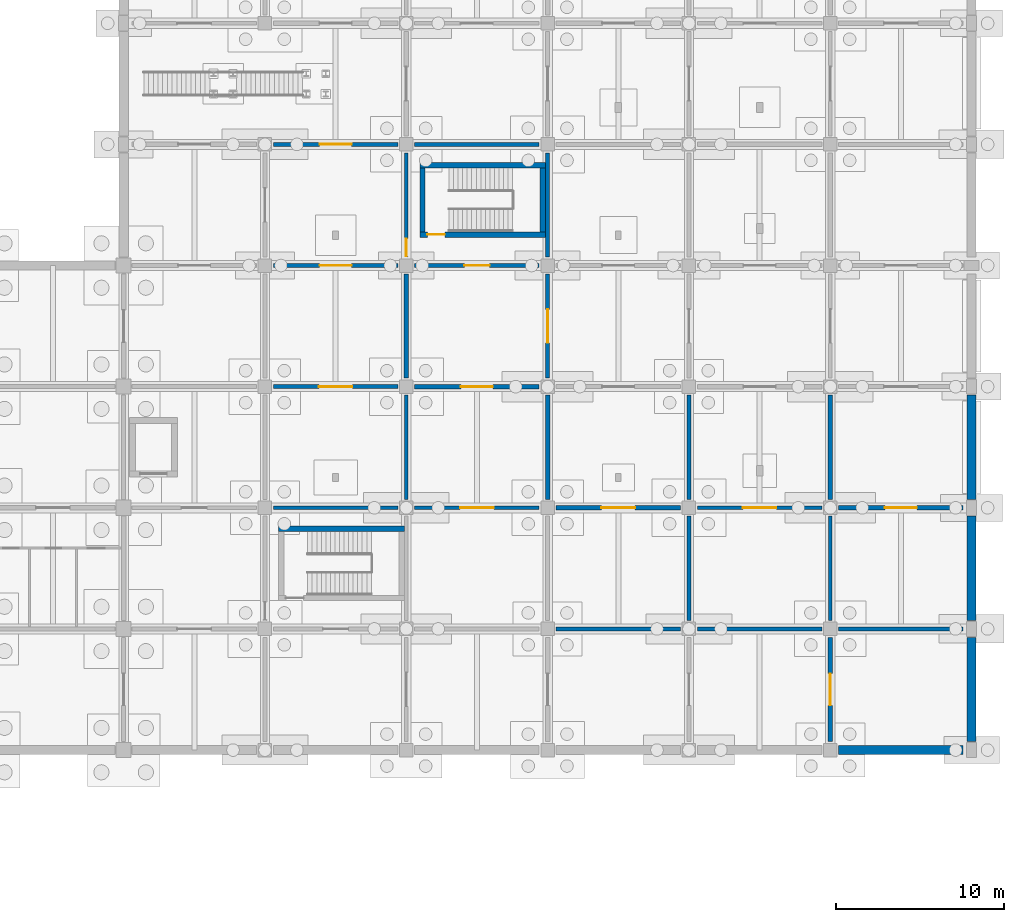
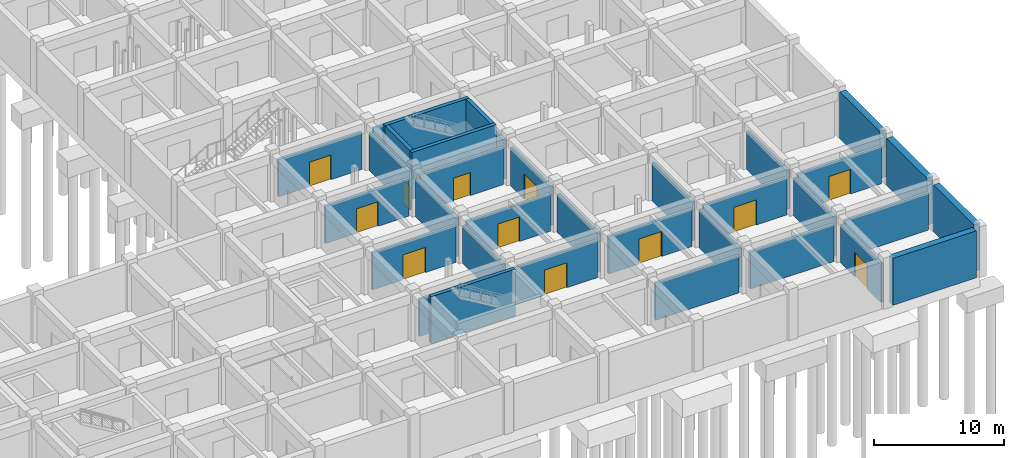
# One storey, part 33 of 38: 34 walls, 13 doors, 13 openings.
"""IFC4 building model written with IfcOpenShell, lengths in metres."""

from ifc_helpers import new_model, si_unit, derived_unit, direction, frame, frame_2d, origin, place, context, subcontext, project, spatial, rectangle, extrude, material, layer, layer_set, type_object, element, fill, save


model = new_model("IFC4")

# Units and contexts
model_context = context("Model", 3, precision=1e-05, world=origin(), true_north=direction((0.0, 1.0)))
body_context = subcontext(model_context, "Body", "Model", "MODEL_VIEW")
ifc_project = project(units=[si_unit("LENGTHUNIT", "METRE"), si_unit("AREAUNIT", "SQUARE_METRE"), si_unit("VOLUMEUNIT", "CUBIC_METRE"), si_unit("PLANEANGLEUNIT", "RADIAN"), si_unit("MASSUNIT", "GRAM", prefix="KILO"), derived_unit("THERMALTRANSMITTANCEUNIT", [(si_unit("MASSUNIT", "GRAM", prefix="KILO"), 1), (si_unit("TIMEUNIT", "SECOND"), -3), (si_unit("THERMODYNAMICTEMPERATUREUNIT", "KELVIN"), -1)])], contexts=[model_context])

# Site, building, storey
site_placement = place(None, origin())
site = spatial("IfcSite", under=ifc_project, at=site_placement, CompositionType="ELEMENT")
building_placement = place(site_placement, origin())
building = spatial("IfcBuilding", under=site, at=building_placement, Name="Veldstrom Oceanarium and Marine Research Institute", CompositionType="ELEMENT")
storey_placement = place(building_placement, frame((0.0, 0.0, -9.60009765625)))
storey = spatial("IfcBuildingStorey", under=building, at=storey_placement, Name="B02", CompositionType="ELEMENT", Elevation=-9.60009765625)

# Walls
ifc_material_1 = material(Name="Masonry Fire Compartment Wall", Category="masonry")
ifc_layer_1 = layer(ifc_material_1, 0.22998046875)
ifc_layer_set_1 = layer_set([ifc_layer_1], Name="ARC-WAL-PT1")
wall_type_1 = type_object("IfcWallType", Name="ARC-WAL-PT1", PredefinedType="PARTITIONING", material=ifc_layer_set_1)
wall_1_placement = place(storey_placement, frame((126.5, 57.60009765625, 0.0), z_axis=(0.0, 0.0, 1.0), x_axis=(1.0, 0.0, 0.0)))
element("IfcWall", 1, at=wall_1_placement, inside=storey, type_object=wall_type_1, Name="Interior Partition PT1 B02-0210", PredefinedType="PARTITIONING", context=body_context, shape_type="SweptSolid", body=[
    extrude(rectangle(XDim=7.39990234375, YDim=0.22998046875, at=frame_2d((3.699951171875, 0.0))), origin(), (0.0, 0.0, 1.0), 3.4951171875),
])
wall_2_placement = place(storey_placement, frame((134.39990234375, 58.10009765625, 0.0), z_axis=(0.0, 0.0, 1.0), x_axis=(0.0, 1.0, 0.0)))
element("IfcWall", 2, at=wall_2_placement, inside=storey, type_object=wall_type_1, Name="Interior Partition PT1 B02-0211", PredefinedType="PARTITIONING", context=body_context, shape_type="SweptSolid", body=[
    extrude(rectangle(XDim=6.199951171875, YDim=0.22998046875, at=frame_2d((3.10009765625, 0.0))), origin(), (0.0, 0.0, 1.0), 3.59521484375),
])

# Wall, opening, door
wall_3_placement = place(storey_placement, frame((126.5, 64.800048828125, 0.0), z_axis=(0.0, 0.0, 1.0), x_axis=(1.0, 0.0, 0.0)))
wall_3 = element("IfcWall", 3, at=wall_3_placement, inside=storey, type_object=wall_type_1, Name="Interior Partition PT1 B02-0212", PredefinedType="PARTITIONING", context=body_context, shape_type="SweptSolid", body=[
    extrude(rectangle(XDim=7.39990234375, YDim=0.22998046875, at=frame_2d((3.699951171875, 0.0))), origin(), (0.0, 0.0, 1.0), 3.4951171875),
])
opening_1_placement = place(wall_3_placement, frame((2.699951171875, 0.0, 0.0)))
opening_1 = element("IfcOpeningElement", 4, at=opening_1_placement, cuts=wall_3, Name="Opening D-B02-123", PredefinedType="OPENING", context=body_context, shape_type="SweptSolid", body=[
    extrude(rectangle(XDim=2.0, YDim=2.35009765625, at=frame_2d((1.0, 1.175048828125))), frame((0.0, 0.125, 0.0), z_axis=(0.0, -1.0, 0.0), x_axis=(1.0, 0.0, 0.0)), (0.0, 0.0, 1.0), 0.25),
])
ifc_material_2 = material(Name="Filtration Hall Double Door", Category="steel")
door_type_1 = type_object("IfcDoorType", Name="ARC-DOR-ID18", OperationType="DOUBLE_DOOR_SINGLE_SWING", PredefinedType="DOOR", material=ifc_material_2)
door_1_placement = place(opening_1_placement, frame((2.0, 0.0, 0.0), z_axis=(0.0, 0.0, 1.0), x_axis=(-1.0, 0.0, 0.0)))
door_1 = element("IfcDoor", 5, at=door_1_placement, inside=storey, type_object=door_type_1, Name="Interior Door D-B02-123", OperationType="DOUBLE_DOOR_SINGLE_SWING", OverallHeight=2.35009765625, OverallWidth=2.0, PredefinedType="DOOR", context=body_context, shape_type="SweptSolid", body=[
    extrude(rectangle(XDim=2.0, YDim=2.35009765625, at=frame_2d((1.0, 1.175048828125))), frame((0.0, 0.02490234375, 0.0), z_axis=(0.0, -1.0, 0.0), x_axis=(1.0, 0.0, 0.0)), (0.0, 0.0, 1.0), 0.050048828125),
])
fill(opening_1, door_1)

wall_4_placement = place(storey_placement, frame((134.39990234375, 72.5, 0.0), z_axis=(0.0, 0.0, 1.0), x_axis=(0.0, 1.0, 0.0)))
wall_4 = element("IfcWall", 6, at=wall_4_placement, inside=storey, type_object=wall_type_1, Name="Interior Partition PT1 B02-0215", PredefinedType="PARTITIONING", context=body_context, shape_type="SweptSolid", body=[
    extrude(rectangle(XDim=6.199951171875, YDim=0.22998046875, at=frame_2d((3.10009765625, 0.0))), origin(), (0.0, 0.0, 1.0), 3.59521484375),
])
opening_2_placement = place(wall_4_placement, frame((0.050048828125, 0.0, 0.0)))
opening_2 = element("IfcOpeningElement", 7, at=opening_2_placement, cuts=wall_4, Name="Opening D-B02-125", PredefinedType="OPENING", context=body_context, shape_type="SweptSolid", body=[
    extrude(rectangle(XDim=1.050048828125, YDim=2.14990234375, at=frame_2d((0.52490234375, 1.074951171875))), frame((0.0, 0.125, 0.0), z_axis=(0.0, -1.0, 0.0), x_axis=(1.0, 0.0, 0.0)), (0.0, 0.0, 1.0), 0.25),
])
ifc_material_3 = material(Name="Painted Steel Fire Door", Category="steel")
door_type_2 = type_object("IfcDoorType", Name="ARC-DOR-SD1", OperationType="SINGLE_SWING_LEFT", PredefinedType="DOOR", material=ifc_material_3)
door_2_placement = place(opening_2_placement, origin())
door_2 = element("IfcDoor", 8, at=door_2_placement, inside=storey, type_object=door_type_2, Name="Interior Door D-B02-125", OperationType="SINGLE_SWING_LEFT", OverallHeight=2.14990234375, OverallWidth=1.050048828125, PredefinedType="DOOR", context=body_context, shape_type="SweptSolid", body=[
    extrude(rectangle(XDim=1.050048828125, YDim=2.14990234375, at=frame_2d((0.52490234375, 1.074951171875))), frame((0.0, 0.02490234375, 0.0), z_axis=(0.0, -1.0, 0.0), x_axis=(1.0, 0.0, 0.0)), (0.0, 0.0, 1.0), 0.050048828125),
])
fill(opening_2, door_2)

wall_5_placement = place(storey_placement, frame((126.5, 79.199951171875, 0.0), z_axis=(0.0, 0.0, 1.0), x_axis=(1.0, 0.0, 0.0)))
wall_5 = element("IfcWall", 9, at=wall_5_placement, inside=storey, type_object=wall_type_1, Name="Interior Partition PT1 B02-0216", PredefinedType="PARTITIONING", context=body_context, shape_type="SweptSolid", body=[
    extrude(rectangle(XDim=7.39990234375, YDim=0.22998046875, at=frame_2d((3.699951171875, 0.0))), origin(), (0.0, 0.0, 1.0), 3.4951171875),
])
opening_3_placement = place(wall_5_placement, frame((2.75, 0.0, 0.0)))
opening_3 = element("IfcOpeningElement", 10, at=opening_3_placement, cuts=wall_5, Name="Opening D-B02-126", PredefinedType="OPENING", context=body_context, shape_type="SweptSolid", body=[
    extrude(rectangle(XDim=1.89990234375, YDim=2.300048828125, at=frame_2d((0.949951171875, 1.14990234375))), frame((0.0, 0.125, 0.0), z_axis=(0.0, -1.0, 0.0), x_axis=(1.0, 0.0, 0.0)), (0.0, 0.0, 1.0), 0.25),
])
ifc_material_4 = material(Name="Plant Hall Equipment Door", Category="steel")
door_type_3 = type_object("IfcDoorType", Name="ARC-DOR-ID12", OperationType="DOUBLE_DOOR_SINGLE_SWING", PredefinedType="DOOR", material=ifc_material_4)
door_3_placement = place(opening_3_placement, frame((1.89990234375, 0.0, 0.0), z_axis=(0.0, 0.0, 1.0), x_axis=(-1.0, 0.0, 0.0)))
door_3 = element("IfcDoor", 11, at=door_3_placement, inside=storey, type_object=door_type_3, Name="Interior Door D-B02-126", OperationType="DOUBLE_DOOR_SINGLE_SWING", OverallHeight=2.300048828125, OverallWidth=1.89990234375, PredefinedType="DOOR", context=body_context, shape_type="SweptSolid", body=[
    extrude(rectangle(XDim=1.89990234375, YDim=2.300048828125, at=frame_2d((0.949951171875, 1.14990234375))), frame((0.0, 0.02490234375, 0.0), z_axis=(0.0, -1.0, 0.0), x_axis=(1.0, 0.0, 0.0)), (0.0, 0.0, 1.0), 0.050048828125),
])
fill(opening_3, door_3)

wall_6_placement = place(storey_placement, frame((134.89990234375, 57.60009765625, 0.0), z_axis=(0.0, 0.0, 1.0), x_axis=(1.0, 0.0, 0.0)))
wall_6 = element("IfcWall", 12, at=wall_6_placement, inside=storey, type_object=wall_type_1, Name="Interior Partition PT1 B02-0229", PredefinedType="PARTITIONING", context=body_context, shape_type="SweptSolid", body=[
    extrude(rectangle(XDim=7.400146484375, YDim=0.22998046875, at=frame_2d((3.7001953125, 0.0))), origin(), (0.0, 0.0, 1.0), 3.4951171875),
])
opening_4_placement = place(wall_6_placement, frame((2.699951171875, 0.0, 0.0)))
opening_4 = element("IfcOpeningElement", 13, at=opening_4_placement, cuts=wall_6, Name="Opening D-B02-133", PredefinedType="OPENING", context=body_context, shape_type="SweptSolid", body=[
    extrude(rectangle(XDim=2.0, YDim=2.35009765625, at=frame_2d((1.0, 1.175048828125))), frame((0.0, 0.125, 0.0), z_axis=(0.0, -1.0, 0.0), x_axis=(1.0, 0.0, 0.0)), (0.0, 0.0, 1.0), 0.25),
])
door_4_placement = place(opening_4_placement, frame((2.0, 0.0, 0.0), z_axis=(0.0, 0.0, 1.0), x_axis=(-1.0, 0.0, 0.0)))
door_4 = element("IfcDoor", 14, at=door_4_placement, inside=storey, type_object=door_type_1, Name="Interior Door D-B02-133", OperationType="DOUBLE_DOOR_SINGLE_SWING", OverallHeight=2.35009765625, OverallWidth=2.0, PredefinedType="DOOR", context=body_context, shape_type="SweptSolid", body=[
    extrude(rectangle(XDim=2.0, YDim=2.35009765625, at=frame_2d((1.0, 1.175048828125))), frame((0.0, 0.02490234375, 0.0), z_axis=(0.0, -1.0, 0.0), x_axis=(1.0, 0.0, 0.0)), (0.0, 0.0, 1.0), 0.050048828125),
])
fill(opening_4, door_4)

wall_7_placement = place(storey_placement, frame((142.800048828125, 65.300048828125, 0.0), z_axis=(0.0, 0.0, 1.0), x_axis=(0.0, 1.0, 0.0)))
wall_7 = element("IfcWall", 15, at=wall_7_placement, inside=storey, type_object=wall_type_1, Name="Interior Partition PT1 B02-0232", PredefinedType="PARTITIONING", context=body_context, shape_type="SweptSolid", body=[
    extrude(rectangle(XDim=6.199951171875, YDim=0.22998046875, at=frame_2d((3.10009765625, 0.0))), origin(), (0.0, 0.0, 1.0), 3.59521484375),
])
opening_5_placement = place(wall_7_placement, frame((2.10009765625, 0.0, 0.0)))
opening_5 = element("IfcOpeningElement", 16, at=opening_5_placement, cuts=wall_7, Name="Opening D-B02-135", PredefinedType="OPENING", context=body_context, shape_type="SweptSolid", body=[
    extrude(rectangle(XDim=2.0, YDim=2.35009765625, at=frame_2d((1.0, 1.175048828125))), frame((0.0, 0.125, 0.0), z_axis=(0.0, -1.0, 0.0), x_axis=(1.0, 0.0, 0.0)), (0.0, 0.0, 1.0), 0.25),
])
door_5_placement = place(opening_5_placement, origin())
door_5 = element("IfcDoor", 17, at=door_5_placement, inside=storey, type_object=door_type_1, Name="Interior Door D-B02-135", OperationType="DOUBLE_DOOR_SINGLE_SWING", OverallHeight=2.35009765625, OverallWidth=2.0, PredefinedType="DOOR", context=body_context, shape_type="SweptSolid", body=[
    extrude(rectangle(XDim=2.0, YDim=2.35009765625, at=frame_2d((1.0, 1.175048828125))), frame((0.0, 0.02490234375, 0.0), z_axis=(0.0, -1.0, 0.0), x_axis=(1.0, 0.0, 0.0)), (0.0, 0.0, 1.0), 0.050048828125),
])
fill(opening_5, door_5)

wall_8_placement = place(storey_placement, frame((134.89990234375, 72.0, 0.0), z_axis=(0.0, 0.0, 1.0), x_axis=(1.0, 0.0, 0.0)))
wall_8 = element("IfcWall", 18, at=wall_8_placement, inside=storey, type_object=wall_type_1, Name="Interior Partition PT1 B02-0233", PredefinedType="PARTITIONING", context=body_context, shape_type="SweptSolid", body=[
    extrude(rectangle(XDim=7.400146484375, YDim=0.22998046875, at=frame_2d((3.7001953125, 0.0))), origin(), (0.0, 0.0, 1.0), 3.4951171875),
])
opening_6_placement = place(wall_8_placement, frame((2.949951171875, 0.0, 0.0)))
opening_6 = element("IfcOpeningElement", 19, at=opening_6_placement, cuts=wall_8, Name="Opening D-B02-136", PredefinedType="OPENING", context=body_context, shape_type="SweptSolid", body=[
    extrude(rectangle(XDim=1.5, YDim=2.14990234375, at=frame_2d((0.75, 1.074951171875))), frame((0.0, 0.125, 0.0), z_axis=(0.0, -1.0, 0.0), x_axis=(1.0, 0.0, 0.0)), (0.0, 0.0, 1.0), 0.25),
])
ifc_material_5 = material(Name="Painted Steel Lobby Fire Door", Category="steel")
door_type_4 = type_object("IfcDoorType", Name="ARC-DOR-SD2", OperationType="DOUBLE_DOOR_SINGLE_SWING", PredefinedType="DOOR", material=ifc_material_5)
door_6_placement = place(opening_6_placement, frame((1.5, 0.0, 0.0), z_axis=(0.0, 0.0, 1.0), x_axis=(-1.0, 0.0, 0.0)))
door_6 = element("IfcDoor", 20, at=door_6_placement, inside=storey, type_object=door_type_4, Name="Interior Door D-B02-136", OperationType="DOUBLE_DOOR_SINGLE_SWING", OverallHeight=2.14990234375, OverallWidth=1.5, PredefinedType="DOOR", context=body_context, shape_type="SweptSolid", body=[
    extrude(rectangle(XDim=1.5, YDim=2.14990234375, at=frame_2d((0.75, 1.074951171875))), frame((0.0, 0.02490234375, 0.0), z_axis=(0.0, -1.0, 0.0), x_axis=(1.0, 0.0, 0.0)), (0.0, 0.0, 1.0), 0.050048828125),
])
fill(opening_6, door_6)

# Walls
wall_9_placement = place(storey_placement, frame((142.800048828125, 72.5, 0.0), z_axis=(0.0, 0.0, 1.0), x_axis=(0.0, 1.0, 0.0)))
element("IfcWall", 21, at=wall_9_placement, inside=storey, type_object=wall_type_1, Name="Interior Partition PT1 B02-0234", PredefinedType="PARTITIONING", context=body_context, shape_type="SweptSolid", body=[
    extrude(rectangle(XDim=6.199951171875, YDim=0.22998046875, at=frame_2d((3.10009765625, 0.0))), origin(), (0.0, 0.0, 1.0), 3.59521484375),
])
wall_10_placement = place(storey_placement, frame((134.89990234375, 79.199951171875, 0.0), z_axis=(0.0, 0.0, 1.0), x_axis=(1.0, 0.0, 0.0)))
element("IfcWall", 22, at=wall_10_placement, inside=storey, type_object=wall_type_1, Name="Interior Partition PT1 B02-0235", PredefinedType="PARTITIONING", context=body_context, shape_type="SweptSolid", body=[
    extrude(rectangle(XDim=7.400146484375, YDim=0.22998046875, at=frame_2d((3.7001953125, 0.0))), origin(), (0.0, 0.0, 1.0), 3.4951171875),
])
wall_11_placement = place(storey_placement, frame((143.300048828125, 50.39990234375, 0.0), z_axis=(0.0, 0.0, 1.0), x_axis=(1.0, 0.0, 0.0)))
element("IfcWall", 23, at=wall_11_placement, inside=storey, type_object=wall_type_1, Name="Interior Partition PT1 B02-0246", PredefinedType="PARTITIONING", context=body_context, shape_type="SweptSolid", body=[
    extrude(rectangle(XDim=7.39990234375, YDim=0.22998046875, at=frame_2d((3.699951171875, 0.0))), origin(), (0.0, 0.0, 1.0), 3.4951171875),
])
wall_12_placement = place(storey_placement, frame((151.199951171875, 58.10009765625, 0.0), z_axis=(0.0, 0.0, 1.0), x_axis=(0.0, 1.0, 0.0)))
element("IfcWall", 24, at=wall_12_placement, inside=storey, type_object=wall_type_1, Name="Interior Partition PT1 B02-0249", PredefinedType="PARTITIONING", context=body_context, shape_type="SweptSolid", body=[
    extrude(rectangle(XDim=6.199951171875, YDim=0.22998046875, at=frame_2d((3.10009765625, 0.0))), origin(), (0.0, 0.0, 1.0), 3.59521484375),
])
wall_13_placement = place(storey_placement, frame((159.60009765625, 50.89990234375, 0.0), z_axis=(0.0, 0.0, 1.0), x_axis=(0.0, 1.0, 0.0)))
element("IfcWall", 25, at=wall_13_placement, inside=storey, type_object=wall_type_1, Name="Interior Partition PT1 B02-0266", PredefinedType="PARTITIONING", context=body_context, shape_type="SweptSolid", body=[
    extrude(rectangle(XDim=6.2001953125, YDim=0.22998046875, at=frame_2d((3.10009765625, 0.0))), origin(), (0.0, 0.0, 1.0), 3.59521484375),
])

# Wall, opening, door
wall_14_placement = place(storey_placement, frame((151.699951171875, 57.60009765625, 0.0), z_axis=(0.0, 0.0, 1.0), x_axis=(1.0, 0.0, 0.0)))
wall_14 = element("IfcWall", 26, at=wall_14_placement, inside=storey, type_object=wall_type_1, Name="Interior Partition PT1 B02-0267", PredefinedType="PARTITIONING", context=body_context, shape_type="SweptSolid", body=[
    extrude(rectangle(XDim=7.400146484375, YDim=0.22998046875, at=frame_2d((3.7001953125, 0.0))), origin(), (0.0, 0.0, 1.0), 3.4951171875),
])
opening_7_placement = place(wall_14_placement, frame((2.699951171875, 0.0, 0.0)))
opening_7 = element("IfcOpeningElement", 27, at=opening_7_placement, cuts=wall_14, Name="Opening D-B02-153", PredefinedType="OPENING", context=body_context, shape_type="SweptSolid", body=[
    extrude(rectangle(XDim=2.0, YDim=2.35009765625, at=frame_2d((1.0, 1.175048828125))), frame((0.0, 0.125, 0.0), z_axis=(0.0, -1.0, 0.0), x_axis=(1.0, 0.0, 0.0)), (0.0, 0.0, 1.0), 0.25),
])
door_7_placement = place(opening_7_placement, frame((2.0, 0.0, 0.0), z_axis=(0.0, 0.0, 1.0), x_axis=(-1.0, 0.0, 0.0)))
door_7 = element("IfcDoor", 28, at=door_7_placement, inside=storey, type_object=door_type_1, Name="Interior Door D-B02-153", OperationType="DOUBLE_DOOR_SINGLE_SWING", OverallHeight=2.35009765625, OverallWidth=2.0, PredefinedType="DOOR", context=body_context, shape_type="SweptSolid", body=[
    extrude(rectangle(XDim=2.0, YDim=2.35009765625, at=frame_2d((1.0, 1.175048828125))), frame((0.0, 0.02490234375, 0.0), z_axis=(0.0, -1.0, 0.0), x_axis=(1.0, 0.0, 0.0)), (0.0, 0.0, 1.0), 0.050048828125),
])
fill(opening_7, door_7)

# Walls
wall_15_placement = place(storey_placement, frame((160.10009765625, 50.39990234375, 0.0), z_axis=(0.0, 0.0, 1.0), x_axis=(1.0, 0.0, 0.0)))
element("IfcWall", 29, at=wall_15_placement, inside=storey, type_object=wall_type_1, Name="Interior Partition PT1 B02-0283", PredefinedType="PARTITIONING", context=body_context, shape_type="SweptSolid", body=[
    extrude(rectangle(XDim=7.39990234375, YDim=0.22998046875, at=frame_2d((3.699951171875, 0.0))), origin(), (0.0, 0.0, 1.0), 3.4951171875),
])
ifc_material_6 = material(Name="Plant Acoustic Masonry Wall", Category="masonry")
ifc_layer_2 = layer(ifc_material_6, 0.260009765625)
ifc_layer_set_2 = layer_set([ifc_layer_2], Name="ARC-WAL-PT8")
wall_type_2 = type_object("IfcWallType", Name="ARC-WAL-PT8", PredefinedType="PARTITIONING", material=ifc_layer_set_2)
wall_16_placement = place(storey_placement, frame((134.39990234375, 65.300048828125, 0.0), z_axis=(0.0, 0.0, 1.0), x_axis=(0.0, 1.0, 0.0)))
element("IfcWall", 30, at=wall_16_placement, inside=storey, type_object=wall_type_2, Name="Interior Partition PT8 B02-0213", PredefinedType="PARTITIONING", context=body_context, shape_type="SweptSolid", body=[
    extrude(rectangle(XDim=6.199951171875, YDim=0.260009765625, at=frame_2d((3.10009765625, 0.0))), origin(), (0.0, 0.0, 1.0), 3.59521484375),
])

# Wall, opening, door
wall_17_placement = place(storey_placement, frame((126.5, 72.0, 0.0), z_axis=(0.0, 0.0, 1.0), x_axis=(1.0, 0.0, 0.0)))
wall_17 = element("IfcWall", 31, at=wall_17_placement, inside=storey, type_object=wall_type_2, Name="Interior Partition PT8 B02-0214", PredefinedType="PARTITIONING", context=body_context, shape_type="SweptSolid", body=[
    extrude(rectangle(XDim=7.39990234375, YDim=0.260009765625, at=frame_2d((3.699951171875, 0.0))), origin(), (0.0, 0.0, 1.0), 3.4951171875),
])
opening_8_placement = place(wall_17_placement, frame((2.75, 0.0, 0.0)))
opening_8 = element("IfcOpeningElement", 32, at=opening_8_placement, cuts=wall_17, Name="Opening D-B02-124", PredefinedType="OPENING", context=body_context, shape_type="SweptSolid", body=[
    extrude(rectangle(XDim=1.89990234375, YDim=2.300048828125, at=frame_2d((0.949951171875, 1.14990234375))), frame((0.0, 0.139892578125, 0.0), z_axis=(0.0, -1.0, 0.0), x_axis=(1.0, 0.0, 0.0)), (0.0, 0.0, 1.0), 0.280029296875),
])
door_8_placement = place(opening_8_placement, origin())
door_8 = element("IfcDoor", 33, at=door_8_placement, inside=storey, type_object=door_type_3, Name="Interior Door D-B02-124", OperationType="DOUBLE_DOOR_SINGLE_SWING", OverallHeight=2.300048828125, OverallWidth=1.89990234375, PredefinedType="DOOR", context=body_context, shape_type="SweptSolid", body=[
    extrude(rectangle(XDim=1.89990234375, YDim=2.300048828125, at=frame_2d((0.949951171875, 1.14990234375))), frame((0.0, 0.02490234375, 0.0), z_axis=(0.0, -1.0, 0.0), x_axis=(1.0, 0.0, 0.0)), (0.0, 0.0, 1.0), 0.050048828125),
])
fill(opening_8, door_8)

# Wall
wall_18_placement = place(storey_placement, frame((142.800048828125, 58.10009765625, 0.0), z_axis=(0.0, 0.0, 1.0), x_axis=(0.0, 1.0, 0.0)))
element("IfcWall", 34, at=wall_18_placement, inside=storey, type_object=wall_type_2, Name="Interior Partition PT8 B02-0230", PredefinedType="PARTITIONING", context=body_context, shape_type="SweptSolid", body=[
    extrude(rectangle(XDim=6.199951171875, YDim=0.260009765625, at=frame_2d((3.10009765625, 0.0))), origin(), (0.0, 0.0, 1.0), 3.59521484375),
])

# Wall, opening, door
wall_19_placement = place(storey_placement, frame((134.89990234375, 64.800048828125, 0.0), z_axis=(0.0, 0.0, 1.0), x_axis=(1.0, 0.0, 0.0)))
wall_19 = element("IfcWall", 35, at=wall_19_placement, inside=storey, type_object=wall_type_2, Name="Interior Partition PT8 B02-0231", PredefinedType="PARTITIONING", context=body_context, shape_type="SweptSolid", body=[
    extrude(rectangle(XDim=7.400146484375, YDim=0.260009765625, at=frame_2d((3.7001953125, 0.0))), origin(), (0.0, 0.0, 1.0), 3.4951171875),
])
opening_9_placement = place(wall_19_placement, frame((2.75, 0.0, 0.0)))
opening_9 = element("IfcOpeningElement", 36, at=opening_9_placement, cuts=wall_19, Name="Opening D-B02-134", PredefinedType="OPENING", context=body_context, shape_type="SweptSolid", body=[
    extrude(rectangle(XDim=1.89990234375, YDim=2.300048828125, at=frame_2d((0.949951171875, 1.14990234375))), frame((0.0, 0.139892578125, 0.0), z_axis=(0.0, -1.0, 0.0), x_axis=(1.0, 0.0, 0.0)), (0.0, 0.0, 1.0), 0.280029296875),
])
door_9_placement = place(opening_9_placement, origin())
door_9 = element("IfcDoor", 37, at=door_9_placement, inside=storey, type_object=door_type_3, Name="Interior Door D-B02-134", OperationType="DOUBLE_DOOR_SINGLE_SWING", OverallHeight=2.300048828125, OverallWidth=1.89990234375, PredefinedType="DOOR", context=body_context, shape_type="SweptSolid", body=[
    extrude(rectangle(XDim=1.89990234375, YDim=2.300048828125, at=frame_2d((0.949951171875, 1.14990234375))), frame((0.0, 0.02490234375, 0.0), z_axis=(0.0, -1.0, 0.0), x_axis=(1.0, 0.0, 0.0)), (0.0, 0.0, 1.0), 0.050048828125),
])
fill(opening_9, door_9)

# Wall
wall_20_placement = place(storey_placement, frame((151.199951171875, 50.89990234375, 0.0), z_axis=(0.0, 0.0, 1.0), x_axis=(0.0, 1.0, 0.0)))
element("IfcWall", 38, at=wall_20_placement, inside=storey, type_object=wall_type_2, Name="Interior Partition PT8 B02-0247", PredefinedType="PARTITIONING", context=body_context, shape_type="SweptSolid", body=[
    extrude(rectangle(XDim=6.2001953125, YDim=0.260009765625, at=frame_2d((3.10009765625, 0.0))), origin(), (0.0, 0.0, 1.0), 3.59521484375),
])

# Wall, opening, door
wall_21_placement = place(storey_placement, frame((143.300048828125, 57.60009765625, 0.0), z_axis=(0.0, 0.0, 1.0), x_axis=(1.0, 0.0, 0.0)))
wall_21 = element("IfcWall", 39, at=wall_21_placement, inside=storey, type_object=wall_type_2, Name="Interior Partition PT8 B02-0248", PredefinedType="PARTITIONING", context=body_context, shape_type="SweptSolid", body=[
    extrude(rectangle(XDim=7.39990234375, YDim=0.260009765625, at=frame_2d((3.699951171875, 0.0))), origin(), (0.0, 0.0, 1.0), 3.4951171875),
])
opening_10_placement = place(wall_21_placement, frame((2.699951171875, 0.0, 0.0)))
opening_10 = element("IfcOpeningElement", 40, at=opening_10_placement, cuts=wall_21, Name="Opening D-B02-143", PredefinedType="OPENING", context=body_context, shape_type="SweptSolid", body=[
    extrude(rectangle(XDim=2.0, YDim=2.35009765625, at=frame_2d((1.0, 1.175048828125))), frame((0.0, 0.139892578125, 0.0), z_axis=(0.0, -1.0, 0.0), x_axis=(1.0, 0.0, 0.0)), (0.0, 0.0, 1.0), 0.280029296875),
])
door_10_placement = place(opening_10_placement, origin())
door_10 = element("IfcDoor", 41, at=door_10_placement, inside=storey, type_object=door_type_1, Name="Interior Door D-B02-143", OperationType="DOUBLE_DOOR_SINGLE_SWING", OverallHeight=2.35009765625, OverallWidth=2.0, PredefinedType="DOOR", context=body_context, shape_type="SweptSolid", body=[
    extrude(rectangle(XDim=2.0, YDim=2.35009765625, at=frame_2d((1.0, 1.175048828125))), frame((0.0, 0.02490234375, 0.0), z_axis=(0.0, -1.0, 0.0), x_axis=(1.0, 0.0, 0.0)), (0.0, 0.0, 1.0), 0.050048828125),
])
fill(opening_10, door_10)

wall_22_placement = place(storey_placement, frame((159.60009765625, 43.699951171875, 0.0), z_axis=(0.0, 0.0, 1.0), x_axis=(0.0, 1.0, 0.0)))
wall_22 = element("IfcWall", 42, at=wall_22_placement, inside=storey, type_object=wall_type_2, Name="Interior Partition PT8 B02-0264", PredefinedType="PARTITIONING", context=body_context, shape_type="SweptSolid", body=[
    extrude(rectangle(XDim=6.199951171875, YDim=0.260009765625, at=frame_2d((3.10009765625, 0.0))), origin(), (0.0, 0.0, 1.0), 3.59521484375),
])
opening_11_placement = place(wall_22_placement, frame((2.14990234375, 0.0, 0.0)))
opening_11 = element("IfcOpeningElement", 43, at=opening_11_placement, cuts=wall_22, Name="Opening D-B02-152", PredefinedType="OPENING", context=body_context, shape_type="SweptSolid", body=[
    extrude(rectangle(XDim=1.89990234375, YDim=2.300048828125, at=frame_2d((0.949951171875, 1.14990234375))), frame((0.0, 0.139892578125, 0.0), z_axis=(0.0, -1.0, 0.0), x_axis=(1.0, 0.0, 0.0)), (0.0, 0.0, 1.0), 0.280029296875),
])
door_11_placement = place(opening_11_placement, frame((1.89990234375, 0.0, 0.0), z_axis=(0.0, 0.0, 1.0), x_axis=(-1.0, 0.0, 0.0)))
door_11 = element("IfcDoor", 44, at=door_11_placement, inside=storey, type_object=door_type_3, Name="Interior Door D-B02-152", OperationType="DOUBLE_DOOR_SINGLE_SWING", OverallHeight=2.300048828125, OverallWidth=1.89990234375, PredefinedType="DOOR", context=body_context, shape_type="SweptSolid", body=[
    extrude(rectangle(XDim=1.89990234375, YDim=2.300048828125, at=frame_2d((0.949951171875, 1.14990234375))), frame((0.0, 0.02490234375, 0.0), z_axis=(0.0, -1.0, 0.0), x_axis=(1.0, 0.0, 0.0)), (0.0, 0.0, 1.0), 0.050048828125),
])
fill(opening_11, door_11)

# Walls
wall_23_placement = place(storey_placement, frame((151.699951171875, 50.39990234375, 0.0), z_axis=(0.0, 0.0, 1.0), x_axis=(1.0, 0.0, 0.0)))
element("IfcWall", 45, at=wall_23_placement, inside=storey, type_object=wall_type_2, Name="Interior Partition PT8 B02-0265", PredefinedType="PARTITIONING", context=body_context, shape_type="SweptSolid", body=[
    extrude(rectangle(XDim=7.400146484375, YDim=0.260009765625, at=frame_2d((3.7001953125, 0.0))), origin(), (0.0, 0.0, 1.0), 3.4951171875),
])
wall_24_placement = place(storey_placement, frame((159.60009765625, 58.10009765625, 0.0), z_axis=(0.0, 0.0, 1.0), x_axis=(0.0, 1.0, 0.0)))
element("IfcWall", 46, at=wall_24_placement, inside=storey, type_object=wall_type_2, Name="Interior Partition PT8 B02-0268", PredefinedType="PARTITIONING", context=body_context, shape_type="SweptSolid", body=[
    extrude(rectangle(XDim=6.199951171875, YDim=0.260009765625, at=frame_2d((3.10009765625, 0.0))), origin(), (0.0, 0.0, 1.0), 3.59521484375),
])

# Wall, opening, door
wall_25_placement = place(storey_placement, frame((160.10009765625, 57.60009765625, 0.0), z_axis=(0.0, 0.0, 1.0), x_axis=(1.0, 0.0, 0.0)))
wall_25 = element("IfcWall", 47, at=wall_25_placement, inside=storey, type_object=wall_type_2, Name="Interior Partition PT8 B02-0284", PredefinedType="PARTITIONING", context=body_context, shape_type="SweptSolid", body=[
    extrude(rectangle(XDim=7.39990234375, YDim=0.260009765625, at=frame_2d((3.699951171875, 0.0))), origin(), (0.0, 0.0, 1.0), 3.4951171875),
])
opening_12_placement = place(wall_25_placement, frame((2.75, 0.0, 0.0)))
opening_12 = element("IfcOpeningElement", 48, at=opening_12_placement, cuts=wall_25, Name="Opening D-B02-162", PredefinedType="OPENING", context=body_context, shape_type="SweptSolid", body=[
    extrude(rectangle(XDim=1.89990234375, YDim=2.300048828125, at=frame_2d((0.949951171875, 1.14990234375))), frame((0.0, 0.139892578125, 0.0), z_axis=(0.0, -1.0, 0.0), x_axis=(1.0, 0.0, 0.0)), (0.0, 0.0, 1.0), 0.280029296875),
])
door_12_placement = place(opening_12_placement, origin())
door_12 = element("IfcDoor", 49, at=door_12_placement, inside=storey, type_object=door_type_3, Name="Interior Door D-B02-162", OperationType="DOUBLE_DOOR_SINGLE_SWING", OverallHeight=2.300048828125, OverallWidth=1.89990234375, PredefinedType="DOOR", context=body_context, shape_type="SweptSolid", body=[
    extrude(rectangle(XDim=1.89990234375, YDim=2.300048828125, at=frame_2d((0.949951171875, 1.14990234375))), frame((0.0, 0.02490234375, 0.0), z_axis=(0.0, -1.0, 0.0), x_axis=(1.0, 0.0, 0.0)), (0.0, 0.0, 1.0), 0.050048828125),
])
fill(opening_12, door_12)

# Wall
ifc_material_7 = material(Name="Concrete C40/50", Category="concrete")
ifc_layer_3 = layer(ifc_material_7, 0.320068359375)
ifc_layer_set_3 = layer_set([ifc_layer_3], Name="STR-WAL-WC3")
wall_type_3 = type_object("IfcWallType", Name="STR-WAL-WC3", PredefinedType="SHEAR", material=ifc_layer_set_3)
wall_26_placement = place(storey_placement, frame((126.800048828125, 56.360107421875, 0.0), z_axis=(0.0, 0.0, 1.0), x_axis=(1.0, 0.0, 0.0)))
element("IfcWall", 50, at=wall_26_placement, inside=storey, type_object=wall_type_3, Name="Stair Core Shear Wall SC4-B02-N", PredefinedType="SHEAR", context=body_context, shape_type="SweptSolid", body=[
    extrude(rectangle(XDim=7.47998046875, YDim=0.320068359375, at=frame_2d((3.739990234375, 0.0))), origin(), (0.0, 0.0, 1.0), 4.400146484375),
])

# Wall, opening, door
wall_27_placement = place(storey_placement, frame((135.199951171875, 73.840087890625, 0.0), z_axis=(0.0, 0.0, 1.0), x_axis=(1.0, 0.0, 0.0)))
wall_27 = element("IfcWall", 51, at=wall_27_placement, inside=storey, type_object=wall_type_3, Name="Stair Core Shear Wall SC6-B02-S", PredefinedType="SHEAR", context=body_context, shape_type="SweptSolid", body=[
    extrude(rectangle(XDim=7.47998046875, YDim=0.320068359375, at=frame_2d((3.739990234375, 0.0))), origin(), (0.0, 0.0, 1.0), 4.400146484375),
])
opening_13_placement = place(wall_27_placement, frame((0.449951171875, 0.0, 0.0)))
opening_13 = element("IfcOpeningElement", 52, at=opening_13_placement, cuts=wall_27, Name="Opening D-ST6-B02", PredefinedType="OPENING", context=body_context, shape_type="SweptSolid", body=[
    extrude(rectangle(XDim=1.050048828125, YDim=2.14990234375, at=frame_2d((0.52490234375, 1.074951171875))), frame((0.0, 0.169921875, 0.0), z_axis=(0.0, -1.0, 0.0), x_axis=(1.0, 0.0, 0.0)), (0.0, 0.0, 1.0), 0.340087890625),
])
door_13_placement = place(opening_13_placement, origin())
door_13 = element("IfcDoor", 53, at=door_13_placement, inside=storey, type_object=door_type_2, Name="Escape Stair Fire Door D-ST6-B02", OperationType="SINGLE_SWING_LEFT", OverallHeight=2.14990234375, OverallWidth=1.050048828125, PredefinedType="DOOR", context=body_context, shape_type="SweptSolid", body=[
    extrude(rectangle(XDim=1.050048828125, YDim=2.14990234375, at=frame_2d((0.52490234375, 1.074951171875))), frame((0.0, 0.02490234375, 0.0), z_axis=(0.0, -1.0, 0.0), x_axis=(1.0, 0.0, 0.0)), (0.0, 0.0, 1.0), 0.050048828125),
])
fill(opening_13, door_13)

# Walls
wall_28_placement = place(storey_placement, frame((135.199951171875, 77.9599609375, 0.0), z_axis=(0.0, 0.0, 1.0), x_axis=(1.0, 0.0, 0.0)))
element("IfcWall", 54, at=wall_28_placement, inside=storey, type_object=wall_type_3, Name="Stair Core Shear Wall SC6-B02-N", PredefinedType="SHEAR", context=body_context, shape_type="SweptSolid", body=[
    extrude(rectangle(XDim=7.47998046875, YDim=0.320068359375, at=frame_2d((3.739990234375, 0.0))), origin(), (0.0, 0.0, 1.0), 4.400146484375),
])
for number, where, z_axis, x_axis, name in (
    (55, (135.360107421875, 74.0, 0.0), (0.0, 0.0, 1.0), (0.0, 1.0, 0.0), "Stair Core Shear Wall SC6-B02-W"),
    (56, (142.52001953125, 74.0, 0.0), (0.0, 0.0, 1.0), (0.0, 1.0, 0.0), "Stair Core Shear Wall SC6-B02-E"),
):
    element("IfcWall", number, at=place(storey_placement, frame(where, z_axis=z_axis, x_axis=x_axis)), inside=storey, type_object=wall_type_3, Name=name, PredefinedType="SHEAR", context=body_context, shape_type="SweptSolid", body=[
        extrude(rectangle(XDim=3.800048828125, YDim=0.320068359375, at=frame_2d((1.89990234375, 0.0))), origin(), (0.0, 0.0, 1.0), 4.400146484375),
    ])
ifc_material_8 = material(Name="Concrete C40/50", Category="concrete")
ifc_layer_4 = layer(ifc_material_8, 0.550048828125)
ifc_layer_set_4 = layer_set([ifc_layer_4], Name="STR-WAL-WR1")
wall_type_4 = type_object("IfcWallType", Name="STR-WAL-WR1", PredefinedType="USERDEFINED", material=ifc_layer_set_4)
wall_29_placement = place(storey_placement, frame((160.10009765625, 43.199951171875, 0.0), z_axis=(0.0, 0.0, 1.0), x_axis=(1.0, 0.0, 0.0)))
element("IfcWall", 57, at=wall_29_placement, inside=storey, type_object=wall_type_4, Name="Basement Retaining Wall WR1-B02-061", ObjectType="Retaining wall", PredefinedType="USERDEFINED", context=body_context, shape_type="SweptSolid", body=[
    extrude(rectangle(XDim=7.39990234375, YDim=0.550048828125, at=frame_2d((3.699951171875, 0.0))), origin(), (0.0, 0.0, 1.0), 4.400146484375),
])
wall_30_placement = place(storey_placement, frame((168.0, 43.699951171875, 0.0), z_axis=(0.0, 0.0, 1.0), x_axis=(0.0, 1.0, 0.0)))
element("IfcWall", 58, at=wall_30_placement, inside=storey, type_object=wall_type_4, Name="Basement Retaining Wall WR1-B02-062", ObjectType="Retaining wall", PredefinedType="USERDEFINED", context=body_context, shape_type="SweptSolid", body=[
    extrude(rectangle(XDim=6.199951171875, YDim=0.550048828125, at=frame_2d((3.10009765625, 0.0))), origin(), (0.0, 0.0, 1.0), 4.400146484375),
])
wall_31_placement = place(storey_placement, frame((168.0, 50.89990234375, 0.0), z_axis=(0.0, 0.0, 1.0), x_axis=(0.0, 1.0, 0.0)))
element("IfcWall", 59, at=wall_31_placement, inside=storey, type_object=wall_type_4, Name="Basement Retaining Wall WR1-B02-063", ObjectType="Retaining wall", PredefinedType="USERDEFINED", context=body_context, shape_type="SweptSolid", body=[
    extrude(rectangle(XDim=6.2001953125, YDim=0.550048828125, at=frame_2d((3.10009765625, 0.0))), origin(), (0.0, 0.0, 1.0), 4.400146484375),
])
wall_32_placement = place(storey_placement, frame((168.0, 58.10009765625, 0.0), z_axis=(0.0, 0.0, 1.0), x_axis=(0.0, 1.0, 0.0)))
element("IfcWall", 60, at=wall_32_placement, inside=storey, type_object=wall_type_4, Name="Basement Retaining Wall WR1-B02-064", ObjectType="Retaining wall", PredefinedType="USERDEFINED", context=body_context, shape_type="SweptSolid", body=[
    extrude(rectangle(XDim=6.199951171875, YDim=0.550048828125, at=frame_2d((3.10009765625, 0.0))), origin(), (0.0, 0.0, 1.0), 4.400146484375),
])

save(model, "model.ifc")
